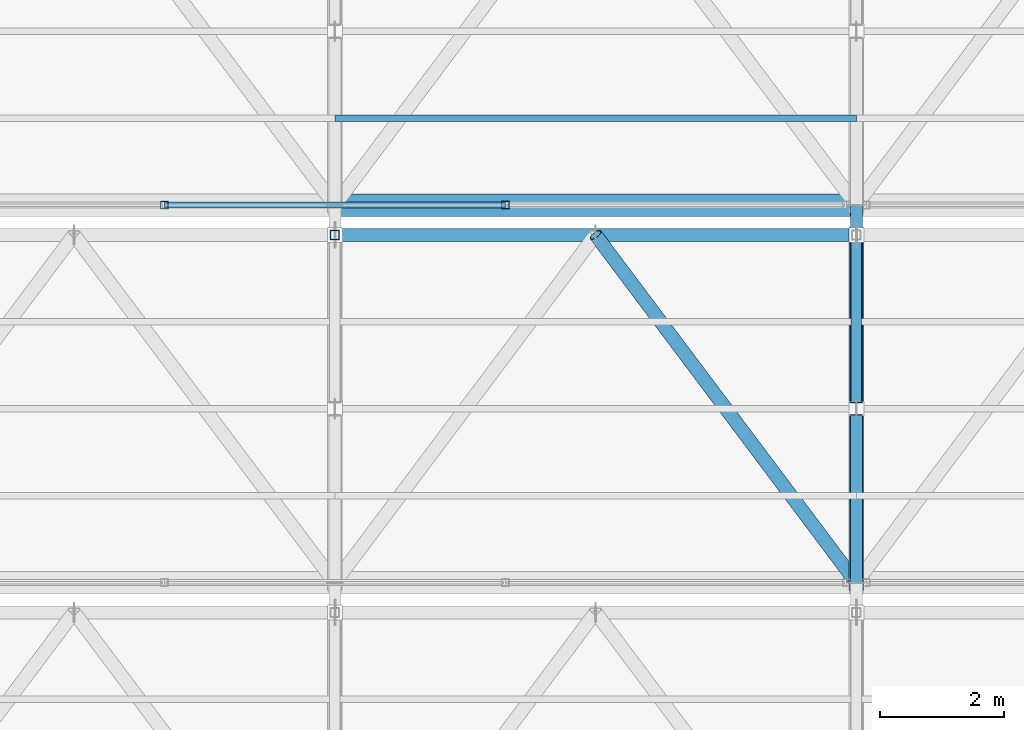
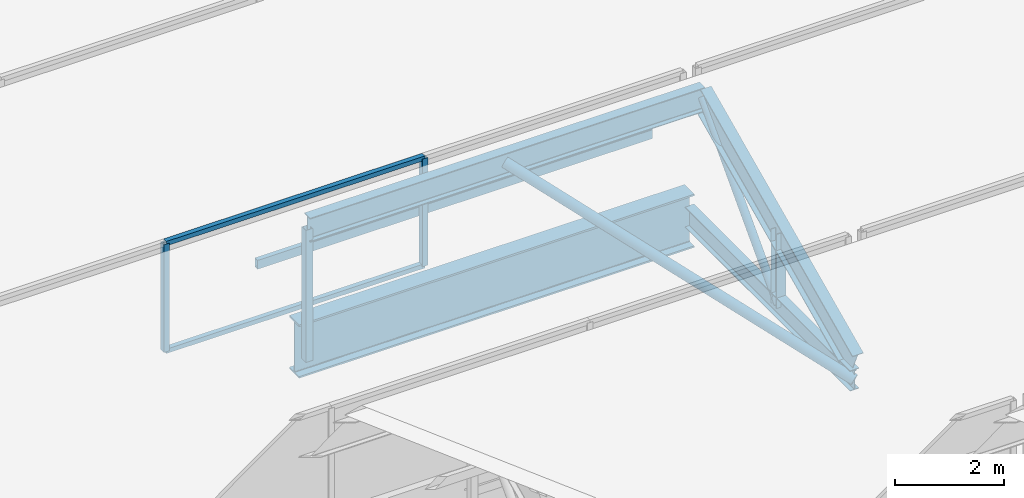
# One storey, part 108 of 217: 12 members, 1 beam, 1 element without a shape of its own.
"""IFC4 building model written with IfcOpenShell, lengths in metres."""

from ifc_helpers import new_model, si_unit, direction, frame, origin, origin_2d, place, context, subcontext, project, spatial, hollow_rectangle, hollow_circle, i_section, extrude, material, material_profile, profile_set, type_object, element, aggregate, save


model = new_model("IFC4")

# Units and contexts
model_context = context("Model", 3, precision=1e-05, world=origin(), true_north=direction((0.0, 1.0)))
body_context = subcontext(model_context, "Body", "Model", "MODEL_VIEW")
ifc_project = project(units=[si_unit("LENGTHUNIT", "METRE"), si_unit("AREAUNIT", "SQUARE_METRE"), si_unit("VOLUMEUNIT", "CUBIC_METRE"), si_unit("PLANEANGLEUNIT", "RADIAN"), si_unit("MASSUNIT", "GRAM", prefix="KILO")], contexts=[model_context])

# Site, building, storey
site_placement = place(None, origin())
site = spatial("IfcSite", under=ifc_project, at=site_placement, CompositionType="ELEMENT")
building_placement = place(site_placement, origin())
building = spatial("IfcBuilding", under=site, at=building_placement, Name="Zuvorla Pavilion Media Centre", CompositionType="ELEMENT")
storey_placement = place(building_placement, frame((0.0, 0.0, 9.60009765625)))
storey = spatial("IfcBuildingStorey", under=building, at=storey_placement, Name="L02", CompositionType="ELEMENT", Elevation=9.60009765625)

# Beam
ifc_material_1 = material(Name="Steel S355", Category="steel")
ifc_material_profile_1 = material_profile(ifc_material_1, i_section(OverallWidth=0.360107421875, OverallDepth=1.199951171875, WebThickness=0.02001953125, FlangeThickness=0.0380859375, FilletRadius=0.02392578125, at=origin_2d()), Name="PG 1200x360x38")
ifc_profile_set_1 = profile_set([ifc_material_profile_1], Name="Steel S355")
beam_type = type_object("IfcBeamType", Name="BM-PG1200", PredefinedType="BEAM", material=ifc_profile_set_1)
beam_placement = place(storey_placement, frame((92.0, 107.840087890625, -0.88818359375), z_axis=(1.0, 0.0, 0.0), x_axis=(0.0, 1.0, 0.0)))
element("IfcBeam", 1, at=beam_placement, inside=storey, type_object=beam_type, Name="L02 beam B01 1798", PredefinedType="BEAM", context=body_context, shape_type="SweptSolid", body=[
    extrude(i_section(OverallWidth=0.360107421875, OverallDepth=1.199951171875, WebThickness=0.02001953125, FlangeThickness=0.0380859375, FilletRadius=0.02392578125, at=origin_2d()), origin(), (0.0, 0.0, 1.0), 8.39990234375),
])

# Curtain wall, members
ifc_material_2 = material(Name="Unitised anodised aluminium and solar glass curtain wall", Category="aluminium")
curtain_wall_type = type_object("IfcCurtainWallType", Name="CW-SYS-88", PredefinedType="USERDEFINED", material=ifc_material_2)
curtain_wall_placement = place(storey_placement, origin())
curtain_wall = element("IfcCurtainWall", 2, at=curtain_wall_placement, inside=storey, type_object=curtain_wall_type, Name="L02 curtain wall CW88 209", ObjectType="CURTAIN WALL", PredefinedType="USERDEFINED")
ifc_material_3 = material(Name="Anodised aluminium 6063-T6", Category="aluminium")
ifc_material_profile_2 = material_profile(ifc_material_3, hollow_rectangle(XDim=0.1201171875, YDim=0.1201171875, WallThickness=0.0048828125, at=origin_2d()), Name="ALU MULL 120x120")
ifc_profile_set_2 = profile_set([ifc_material_profile_2], Name="Anodised aluminium 6063-T6")
member_type_1 = type_object("IfcMemberType", Name="CW-MULL-120", PredefinedType="MULLION", material=ifc_profile_set_2)
member_1_placement = place(storey_placement, frame((89.25341796875, 107.840087890625, 0.0), z_axis=(0.0, 0.0, 1.0), x_axis=(1.0, 0.0, 0.0)))
member_1 = element("IfcMember", 3, at=member_1_placement, type_object=member_type_1, Name="CW88 mullion 2", PredefinedType="MULLION", context=body_context, shape_type="SweptSolid", body=[
    extrude(hollow_rectangle(XDim=0.1201171875, YDim=0.1201171875, WallThickness=0.0048828125, at=origin_2d()), origin(), (0.0, 0.0, 1.0), 2.419921875),
])
member_2_placement = place(storey_placement, frame((94.74658203125, 107.840087890625, 0.0), z_axis=(0.0, 0.0, 1.0), x_axis=(1.0, 0.0, 0.0)))
member_2 = element("IfcMember", 4, at=member_2_placement, type_object=member_type_1, Name="CW88 mullion 3", PredefinedType="MULLION", context=body_context, shape_type="SweptSolid", body=[
    extrude(hollow_rectangle(XDim=0.1201171875, YDim=0.1201171875, WallThickness=0.0048828125, at=origin_2d()), origin(), (0.0, 0.0, 1.0), 2.419921875),
])
ifc_material_profile_3 = material_profile(ifc_material_3, hollow_rectangle(XDim=0.10009765625, YDim=0.10009765625, WallThickness=0.00439453125, at=origin_2d()), Name="ALU TRAN 100x100")
ifc_profile_set_3 = profile_set([ifc_material_profile_3], Name="Anodised aluminium 6063-T6")
member_type_2 = type_object("IfcMemberType", Name="CW-TRAN-100", PredefinedType="USERDEFINED", material=ifc_profile_set_3)
member_3_placement = place(storey_placement, frame((89.25341796875, 107.840087890625, 0.0), z_axis=(1.0, 0.0, 0.0), x_axis=(0.0, 1.0, 0.0)))
member_3 = element("IfcMember", 5, at=member_3_placement, type_object=member_type_2, Name="CW88 transom 2.1", ObjectType="TRANSOM", PredefinedType="USERDEFINED", context=body_context, shape_type="SweptSolid", body=[
    extrude(hollow_rectangle(XDim=0.10009765625, YDim=0.10009765625, WallThickness=0.00439453125, at=origin_2d()), origin(), (0.0, 0.0, 1.0), 5.4931640625),
])
member_4_placement = place(storey_placement, frame((89.25341796875, 107.840087890625, 2.419921875), z_axis=(1.0, 0.0, 0.0), x_axis=(0.0, 1.0, 0.0)))
member_4 = element("IfcMember", 6, at=member_4_placement, type_object=member_type_2, Name="CW88 transom 2.2", ObjectType="TRANSOM", PredefinedType="USERDEFINED", context=body_context, shape_type="SweptSolid", body=[
    extrude(hollow_rectangle(XDim=0.10009765625, YDim=0.10009765625, WallThickness=0.00439453125, at=origin_2d()), origin(), (0.0, 0.0, 1.0), 5.4931640625),
])
aggregate(curtain_wall, [member_1, member_2, member_3, member_4])

# Members
ifc_material_profile_4 = material_profile(ifc_material_1, hollow_circle(Radius=0.084228515625, WallThickness=0.008056640625, at=origin_2d()), Name="CHS 168.3x8")
ifc_profile_set_4 = profile_set([ifc_material_profile_4], Name="Steel S355")
member_type_3 = type_object("IfcMemberType", Name="MEM-BRC-CHS168", PredefinedType="BRACE", material=ifc_profile_set_4)
member_5_placement = place(storey_placement, frame((100.39990234375, 104.56005859375, -0.880126953125), z_axis=(0.0, 0.68676242614, 0.726881950555), x_axis=(-1.0, 0.0, 0.0)))
element("IfcMember", 7, at=member_5_placement, inside=storey, type_object=member_type_3, Name="L02 diagonal brace TB03 242", PredefinedType="BRACE", context=body_context, shape_type="SweptSolid", body=[
    extrude(hollow_circle(Radius=0.084228515625, WallThickness=0.008056640625, at=origin_2d()), origin(), (0.0, 0.0, 1.0), 4.0771484375),
])
ifc_material_profile_5 = material_profile(ifc_material_1, hollow_circle(Radius=0.109619140625, WallThickness=0.010009765625, at=origin_2d()), Name="CHS 219.1x10")
ifc_profile_set_5 = profile_set([ifc_material_profile_5], Name="Steel S355")
member_type_4 = type_object("IfcMemberType", Name="MEM-BRC-CHS219", PredefinedType="BRACE", material=ifc_profile_set_5)
member_6_placement = place(storey_placement, frame((96.199951171875, 107.360107421875, 2.08349609375), z_axis=(0.552511596944, -0.736703540702, -0.389870271191), x_axis=(0.800008370399, 0.599988839305, 0.0)))
element("IfcMember", 8, at=member_6_placement, inside=storey, type_object=member_type_4, Name="L02 diagonal brace TB02 284", PredefinedType="BRACE", context=body_context, shape_type="SweptSolid", body=[
    extrude(hollow_circle(Radius=0.109619140625, WallThickness=0.010009765625, at=origin_2d()), origin(), (0.0, 0.0, 1.0), 7.6015625),
])
ifc_material_profile_6 = material_profile(ifc_material_1, i_section(OverallWidth=0.19140625, OverallDepth=0.4599609375, WebThickness=0.010009765625, FlangeThickness=0.01611328125, FilletRadius=0.01025390625, at=origin_2d()), Name="UB 457x191x82")
ifc_profile_set_6 = profile_set([ifc_material_profile_6], Name="Steel S355")
member_type_5 = type_object("IfcMemberType", Name="MEM-CHD-UB457", PredefinedType="CHORD", material=ifc_profile_set_6)
member_7_placement = place(storey_placement, frame((100.39990234375, 101.760009765625, -0.880126953125), z_axis=(0.0, 1.0, 0.0), x_axis=(-1.0, 0.0, 0.0)))
element("IfcMember", 9, at=member_7_placement, inside=storey, type_object=member_type_5, Name="L02 chord TC03 239", PredefinedType="CHORD", context=body_context, shape_type="SweptSolid", body=[
    extrude(i_section(OverallWidth=0.19140625, OverallDepth=0.4599609375, WebThickness=0.010009765625, FlangeThickness=0.01611328125, FilletRadius=0.01025390625, at=origin_2d()), origin(), (0.0, 0.0, 1.0), 6.080078125),
])
ifc_material_profile_7 = material_profile(ifc_material_1, i_section(OverallWidth=0.2099609375, OverallDepth=0.53662109375, WebThickness=0.0107421875, FlangeThickness=0.017333984375, FilletRadius=0.0126953125, at=origin_2d()), Name="UB 533x210x101")
ifc_profile_set_7 = profile_set([ifc_material_profile_7], Name="Steel S355")
member_type_6 = type_object("IfcMemberType", Name="MEM-CHD-UB533", PredefinedType="CHORD", material=ifc_profile_set_7)
member_8_placement = place(storey_placement, frame((92.0, 107.360107421875, 2.08349609375), z_axis=(1.0, 0.0, 0.0), x_axis=(0.0, 1.0, 0.0)))
element("IfcMember", 10, at=member_8_placement, inside=storey, type_object=member_type_6, Name="L02 chord TC02 282", PredefinedType="CHORD", context=body_context, shape_type="SweptSolid", body=[
    extrude(i_section(OverallWidth=0.2099609375, OverallDepth=0.53662109375, WebThickness=0.0107421875, FlangeThickness=0.017333984375, FilletRadius=0.0126953125, at=origin_2d()), origin(), (0.0, 0.0, 1.0), 8.39990234375),
])
ifc_material_profile_8 = material_profile(ifc_material_1, i_section(OverallWidth=0.22900390625, OverallDepth=0.6123046875, WebThickness=0.011962890625, FlangeThickness=0.01953125, FilletRadius=0.0126953125, at=origin_2d()), Name="UB 610x229x125")
ifc_profile_set_8 = profile_set([ifc_material_profile_8], Name="Steel S355")
member_type_7 = type_object("IfcMemberType", Name="MEM-CHD-UB610", PredefinedType="CHORD", material=ifc_profile_set_8)
member_9_placement = place(storey_placement, frame((100.39990234375, 101.760009765625, -0.5166015625), z_axis=(0.0, 0.907005731366, 0.421118277053), x_axis=(-1.0, 0.0, 0.0)))
element("IfcMember", 11, at=member_9_placement, inside=storey, type_object=member_type_7, Name="L02 chord TC01 240", PredefinedType="CHORD", context=body_context, shape_type="SweptSolid", body=[
    extrude(i_section(OverallWidth=0.22900390625, OverallDepth=0.6123046875, WebThickness=0.011962890625, FlangeThickness=0.01953125, FilletRadius=0.0126953125, at=origin_2d()), origin(), (0.0, 0.0, 1.0), 6.17431640625),
])
ifc_material_profile_9 = material_profile(ifc_material_1, hollow_rectangle(XDim=0.10009765625, YDim=0.199951171875, WallThickness=0.008056640625, at=origin_2d()), Name="RHS 200x100x8")
ifc_profile_set_9 = profile_set([ifc_material_profile_9], Name="Steel S355")
member_type_8 = type_object("IfcMemberType", Name="MEM-PUR-RHS200", PredefinedType="PURLIN", material=ifc_profile_set_9)
member_10_placement = place(storey_placement, frame((92.0, 109.239990234375, 0.133544921875), z_axis=(1.0, 0.0, 0.0), x_axis=(0.0, 1.0, 0.0)))
element("IfcMember", 12, at=member_10_placement, inside=storey, type_object=member_type_8, Name="L02 purlin PR01 378", PredefinedType="PURLIN", context=body_context, shape_type="SweptSolid", body=[
    extrude(hollow_rectangle(XDim=0.10009765625, YDim=0.199951171875, WallThickness=0.008056640625, at=origin_2d()), origin(), (0.0, 0.0, 1.0), 8.39990234375),
])
ifc_material_profile_10 = material_profile(ifc_material_1, hollow_rectangle(XDim=0.14990234375, YDim=0.14990234375, WallThickness=0.008056640625, at=origin_2d()), Name="SHS 150x150x8")
ifc_profile_set_10 = profile_set([ifc_material_profile_10], Name="Steel S355")
member_type_9 = type_object("IfcMemberType", Name="MEM-STR-SHS150", PredefinedType="STRUT", material=ifc_profile_set_10)
member_11_placement = place(storey_placement, frame((92.0, 107.360107421875, -0.880126953125), z_axis=(0.0, 0.0, 1.0), x_axis=(1.0, 0.0, 0.0)))
element("IfcMember", 13, at=member_11_placement, inside=storey, type_object=member_type_9, Name="L02 vertical strut TS01 236", PredefinedType="STRUT", context=body_context, shape_type="SweptSolid", body=[
    extrude(hollow_rectangle(XDim=0.14990234375, YDim=0.14990234375, WallThickness=0.008056640625, at=origin_2d()), origin(), (0.0, 0.0, 1.0), 2.963623046875),
])
ifc_material_profile_11 = material_profile(ifc_material_1, i_section(OverallWidth=0.205810546875, OverallDepth=0.209716796875, WebThickness=0.009521484375, FlangeThickness=0.01416015625, FilletRadius=0.01025390625, at=origin_2d()), Name="UC 203x203x60")
ifc_profile_set_11 = profile_set([ifc_material_profile_11], Name="Steel S355")
member_type_10 = type_object("IfcMemberType", Name="MEM-STR-UC203", PredefinedType="STRUT", material=ifc_profile_set_11)
member_12_placement = place(storey_placement, frame((100.39990234375, 104.56005859375, -0.880126953125), z_axis=(0.0, 0.0, 1.0), x_axis=(1.0, 0.0, 0.0)))
element("IfcMember", 14, at=member_12_placement, inside=storey, type_object=member_type_10, Name="L02 vertical strut TS02 243", PredefinedType="STRUT", context=body_context, shape_type="SweptSolid", body=[
    extrude(i_section(OverallWidth=0.205810546875, OverallDepth=0.209716796875, WebThickness=0.009521484375, FlangeThickness=0.01416015625, FilletRadius=0.01025390625, at=origin_2d()), origin(), (0.0, 0.0, 1.0), 1.66357421875),
])

save(model, "model.ifc")
